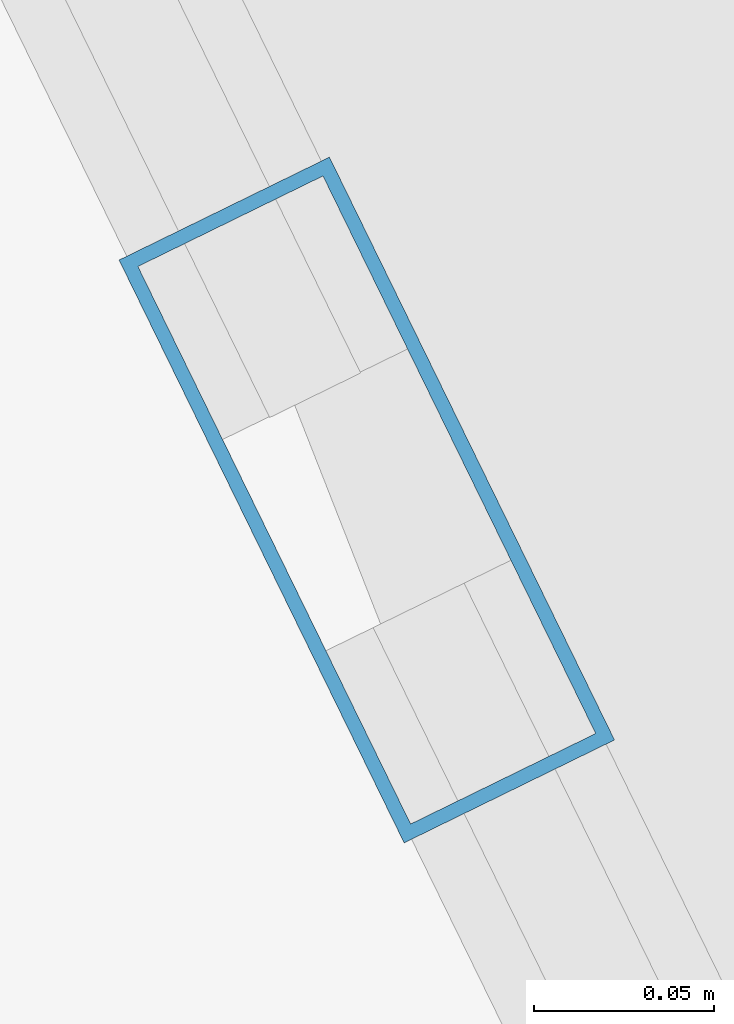
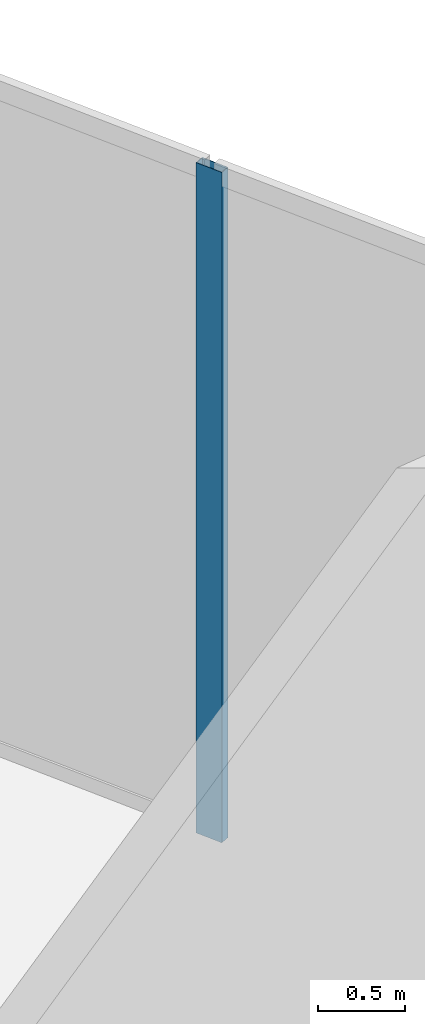
# One storey, part 16 of 32: 1 member, 1 element without a shape of its own.
"""IFC4 building model written with IfcOpenShell, lengths in metres."""

from ifc_helpers import new_model, si_unit, direction, frame, origin, origin_2d, place, context, subcontext, project, spatial, hollow_rectangle, extrude, source, transform, mapped, material, layer, layer_set, material_profile, profile_set, type_object, element, aggregate, save


model = new_model("IFC4")

# Units and contexts
model_context = context("Model", 3, precision=1e-05, world=origin(), true_north=direction((0.0, 1.0)))
body_context = subcontext(model_context, "Body", "Model", "MODEL_VIEW")
ifc_project = project(units=[si_unit("LENGTHUNIT", "METRE"), si_unit("AREAUNIT", "SQUARE_METRE"), si_unit("VOLUMEUNIT", "CUBIC_METRE"), si_unit("PLANEANGLEUNIT", "RADIAN"), si_unit("MASSUNIT", "GRAM", prefix="KILO"), si_unit("THERMODYNAMICTEMPERATUREUNIT", "KELVIN"), si_unit("POWERUNIT", "WATT")], contexts=[model_context])

# Site, building, storey
site_placement = place(None, origin())
site = spatial("IfcSite", under=ifc_project, at=site_placement, CompositionType="ELEMENT")
building_placement = place(site_placement, origin())
building = spatial("IfcBuilding", under=site, at=building_placement, Name="Yunzhuo Pagoda Commons", CompositionType="ELEMENT")
storey_placement = place(building_placement, frame((0.0, 0.0, 396.760009765625)))
storey = spatial("IfcBuildingStorey", under=building, at=storey_placement, Name="L98", CompositionType="ELEMENT", Elevation=396.760009765625)

# Curtain wall, member
ifc_material = material(Name="Anodized aluminium 6063-T6", Category="aluminium")
ifc_layer = layer(ifc_material, 0.179931640625)
ifc_layer_set = layer_set([ifc_layer], Name="Anodized aluminium 6063-T6")
curtain_wall_type = type_object("IfcCurtainWallType", Name="CW-CRN Crown Gable Glazing System", PredefinedType="NOTDEFINED", material=ifc_layer_set)
curtain_wall_placement = place(storey_placement, origin())
curtain_wall = element("IfcCurtainWall", 1, at=curtain_wall_placement, inside=storey, type_object=curtain_wall_type, Name="L98 curtain wall CW-L98-CRNF2G1", PredefinedType="NOTDEFINED")
ifc_material_profile = material_profile(ifc_material, hollow_rectangle(XDim=0.06494140625, YDim=0.179931640625, WallThickness=0.00390625, at=origin_2d()), Name="Anodized aluminium 6063-T6")
ifc_profile_set = profile_set([ifc_material_profile], Name="Anodized aluminium 6063-T6")
member_type = type_object("IfcMemberType", Name="CW-CRN-M Mullion RHS 180x65x4", PredefinedType="MULLION", material=ifc_profile_set)
shared_shape = source(origin(), body_context, "Body", "SweptSolid", [
    extrude(hollow_rectangle(XDim=0.06494140625, YDim=0.179931640625, WallThickness=0.00390625, at=origin_2d()), origin(), (0.0, 0.0, 1.0), 4.72021484375),
])
member_placement = place(storey_placement, frame((69.42578125, 39.20263671875, 0.0), z_axis=(0.0, 0.0, 1.0), x_axis=(-0.898299261226, -0.439384156839, 0.0)))
member = element("IfcMember", 2, at=member_placement, type_object=member_type, Name="CW mullion 2", PredefinedType="MULLION", context=body_context, shape_type="MappedRepresentation", body=[
    mapped(shared_shape, transform((0.0, 0.0, 0.0), scale=1.0)),
])
aggregate(curtain_wall, [member])

save(model, "model.ifc")
